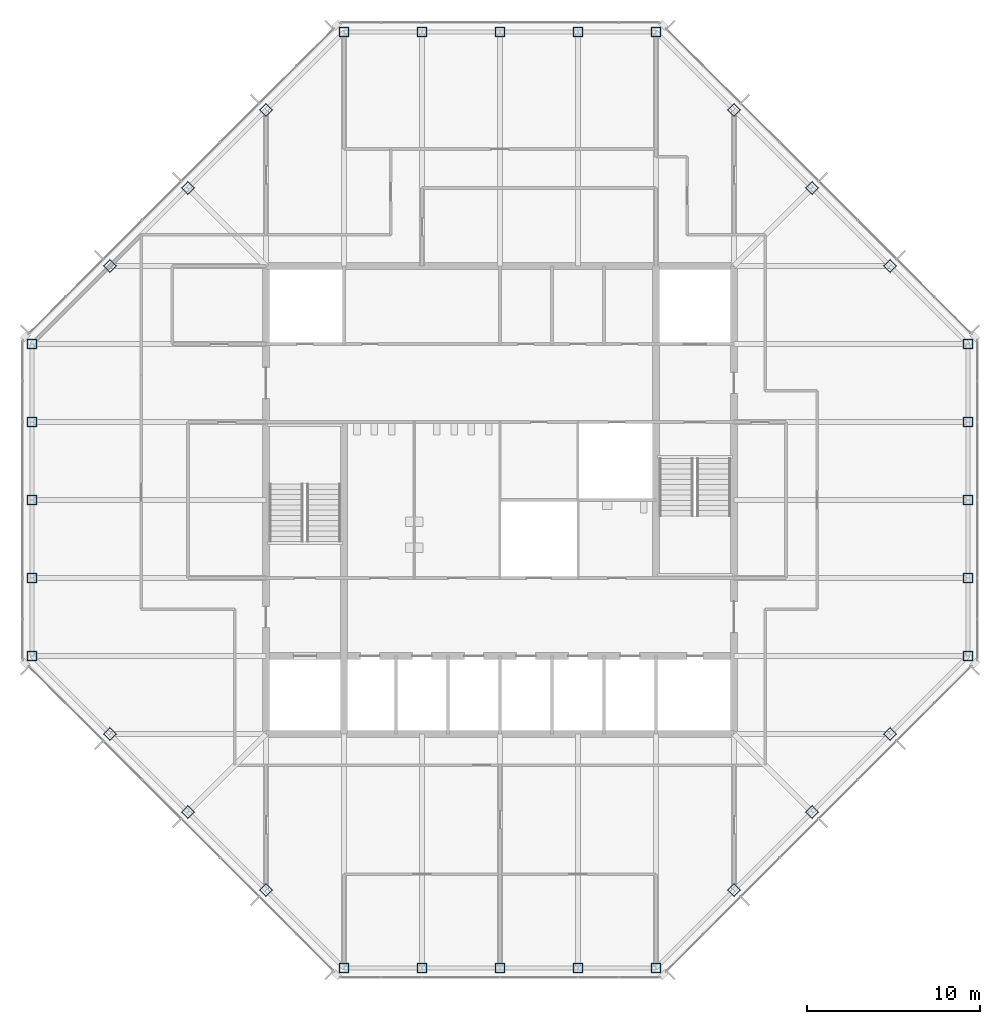
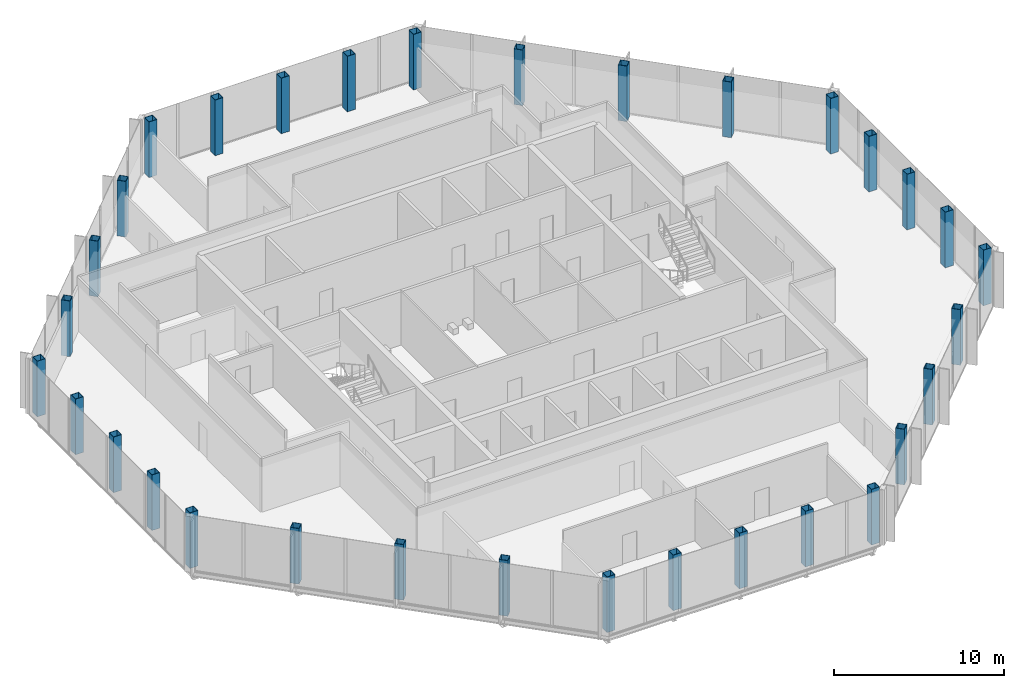
# One storey, part 1 of 13: 32 columns.
"""IFC4 building model written with IfcOpenShell, lengths in metres."""

import ifcopenshell
import ifcopenshell.guid

model = None  # the IFC model being written
_history = None  # IfcOwnerHistory: only IFC2X3 demands one
_inside = {}  # id of a spatial element -> (the spatial element, [elements in it])
_under = {}  # id of a project, library or spatial element -> (it, [spatial elements below it])
_declared = {}  # id of a project -> (the project, [libraries it declares])
_typed = {}  # id of a type object -> (the type object, [elements of that type])
_made_of = {}  # id of a material, layer set ... -> (it, [elements and type objects made of it])


def new_model(schema):
    """Start an empty IFC model of exactly this schema.

    Asked for "IFC4X3", IfcOpenShell would pick the latest addendum, in which some entities
    have other attributes; the version numbers below select the first issue.
    IFC2X3 requires an IfcOwnerHistory on every rooted entity: one is made here for all.
    """
    global model, _history
    if schema == "IFC4X3":
        model = ifcopenshell.file(schema_version=(4, 3, 0, 0))
    else:
        model = ifcopenshell.file(schema=schema)
    _inside.clear()
    _under.clear()
    _declared.clear()
    _typed.clear()
    _made_of.clear()
    _history = None
    if model.schema == "IFC2X3":
        org = make("IfcOrganization", Name="unknown")
        user = make(
            "IfcPersonAndOrganization",
            ThePerson=make("IfcPerson", FamilyName="unknown"),
            TheOrganization=org,
        )
        app = make(
            "IfcApplication",
            ApplicationDeveloper=org,
            Version="unknown",
            ApplicationFullName="unknown",
            ApplicationIdentifier="unknown",
        )
        _history = make(
            "IfcOwnerHistory",
            OwningUser=user,
            OwningApplication=app,
            ChangeAction="ADDED",
            CreationDate=0,
        )
    return model


def make(cls, **values):
    """One entity of the class cls with the attributes given. An attribute that is None is left unset."""
    return model.create_entity(
        cls, **{name: value for name, value in values.items() if value is not None}
    )


def rooted(cls, **values):
    """An entity with a GlobalId (a new one), such as an element, a storey or a relation."""
    return make(cls, GlobalId=ifcopenshell.guid.new(), OwnerHistory=_history, **values)


def si_unit(unit_type, name, prefix=None):
    """IfcSIUnit, for example si_unit("LENGTHUNIT", "METRE", prefix="MILLI")."""
    return make("IfcSIUnit", UnitType=unit_type, Prefix=prefix, Name=name)


def assignment(units):
    """IfcUnitAssignment: the units of a project."""
    return None if units is None else make("IfcUnitAssignment", Units=units)


def point(xyz):
    """IfcCartesianPoint."""
    return None if xyz is None else make("IfcCartesianPoint", Coordinates=xyz)


def direction(xyz):
    """IfcDirection."""
    return None if xyz is None else make("IfcDirection", DirectionRatios=xyz)


def frame(location, z_axis=None, x_axis=None):
    """IfcAxis2Placement3D, a coordinate frame: its origin and axes. An axis left out is left unset."""
    return make(
        "IfcAxis2Placement3D",
        Location=point(location),
        Axis=direction(z_axis),
        RefDirection=direction(x_axis),
    )


def frame_2d(location, x_axis=None):
    """IfcAxis2Placement2D, a coordinate frame in the plane: its origin and x axis."""
    return make(
        "IfcAxis2Placement2D", Location=point(location), RefDirection=direction(x_axis)
    )


def origin():
    """The frame at (0, 0, 0) with its axes left unset."""
    return frame((0.0, 0.0, 0.0))


def origin_2d():
    """The frame at (0, 0) in the plane with its x axis left unset."""
    return frame_2d((0.0, 0.0))


def place(relative_to, where):
    """IfcLocalPlacement: puts the frame where relative to a parent placement (None: the world)."""
    return make(
        "IfcLocalPlacement", PlacementRelTo=relative_to, RelativePlacement=where
    )


def context(
    kind, dimensions, precision=None, world=None, true_north=None, identifier=None
):
    """IfcGeometricRepresentationContext, for example the 3D "Model" context."""
    return make(
        "IfcGeometricRepresentationContext",
        ContextIdentifier=identifier,
        ContextType=kind,
        CoordinateSpaceDimension=dimensions,
        Precision=precision,
        WorldCoordinateSystem=world,
        TrueNorth=true_north,
    )


def subcontext(parent, identifier, kind, view, scale=None):
    """IfcGeometricRepresentationSubContext, for example "Body" below "Model"."""
    return make(
        "IfcGeometricRepresentationSubContext",
        ContextIdentifier=identifier,
        ContextType=kind,
        ParentContext=parent,
        TargetScale=scale,
        TargetView=view,
    )


def project(units=None, contexts=None):
    """IfcProject with its units and contexts."""
    return rooted(
        "IfcProject",
        Name="project",
        RepresentationContexts=contexts,
        UnitsInContext=assignment(units),
    )


def spatial(cls, under=None, at=None, **own):
    """A site, building, storey or space (cls), placed at a placement, below another one or the project."""
    s = rooted(cls, ObjectPlacement=at, **own)
    if under is not None:
        _under.setdefault(under.id(), (under, []))[1].append(s)
    return s


def profile(cls, at=None, kind="AREA", **sizes):
    """A parametric profile (cls). Its sizes go by their IFC names, for example OverallWidth=200.0."""
    return make(cls, ProfileType=kind, Position=at, **sizes)


def hollow_rectangle(**sizes):
    """IfcRectangleHollowProfileDef."""
    return profile("IfcRectangleHollowProfileDef", **sizes)


def extrude(swept, where, along, depth):
    """IfcExtrudedAreaSolid: the profile swept, set in the frame where, extruded along a direction by depth."""
    return make(
        "IfcExtrudedAreaSolid",
        SweptArea=swept,
        Position=where,
        ExtrudedDirection=direction(along),
        Depth=depth,
    )


def shape(context_of_items, identifier, shape_type, items):
    """IfcShapeRepresentation: the items that make up one representation, for example the "Body"."""
    return make(
        "IfcShapeRepresentation",
        ContextOfItems=context_of_items,
        RepresentationIdentifier=identifier,
        RepresentationType=shape_type,
        Items=items,
    )


def material(Name=None, Category=None):
    """IfcMaterial."""
    return make("IfcMaterial", Name=Name, Category=Category)


def material_profile(
    of_material, cross_section, Name=None, Category=None, Priority=None
):
    """IfcMaterialProfile: a cross section and its material."""
    return make(
        "IfcMaterialProfile",
        Name=Name,
        Material=of_material,
        Profile=cross_section,
        Priority=Priority,
        Category=Category,
    )


def profile_set(profiles, Name=None, composite=None):
    """IfcMaterialProfileSet."""
    return make(
        "IfcMaterialProfileSet",
        Name=Name,
        MaterialProfiles=profiles,
        CompositeProfile=composite,
    )


def made_of(thing, what):
    """Note that an element or type object is made of a material, layer set ...; save() writes the relation."""
    if what is not None:
        _made_of.setdefault(what.id(), (what, []))[1].append(thing)
    return thing


def type_object(cls, material=None, **own):
    """A type object (cls), such as IfcWallType, which elements share."""
    return made_of(rooted(cls, **own), material)


def element(
    cls,
    number,
    at=None,
    inside=None,
    cuts=None,
    type_object=None,
    material=None,
    context=None,
    identifier="Body",
    shape_type=None,
    held_by="IfcProductDefinitionShape",
    body=None,
    shapes=None,
    **own,
):
    """One element of the class cls, such as IfcWall. Its Tag is "e" and its number.

    at: its placement. inside: the storey or other place that contains it. cuts: it is an
    opening in that element (IfcRelVoidsElement). A single representation is given by context,
    identifier, shape_type and body (its items); several are given by shapes. held_by: the class
    of the entity that holds the representations. save() writes the other relations.
    """
    e = rooted(cls, Tag="e%d" % number, ObjectPlacement=at, **own)
    if body is not None:
        shapes = [shape(context, identifier, shape_type, body)]
    if shapes is not None:
        e.Representation = make(held_by, Representations=shapes)
    if inside is not None:
        _inside.setdefault(inside.id(), (inside, []))[1].append(e)
    if cuts is not None:
        rooted(
            "IfcRelVoidsElement", RelatingBuildingElement=cuts, RelatedOpeningElement=e
        )
    if type_object is not None:
        _typed.setdefault(type_object.id(), (type_object, []))[1].append(e)
    return made_of(e, material)


def aggregate(whole, parts):
    """IfcRelAggregates: a whole, such as a stair, and the parts it consists of."""
    return rooted("IfcRelAggregates", RelatingObject=whole, RelatedObjects=parts)


def save(model, path):
    """Write the relations noted so far, then the file.

    IfcRelAggregates (storeys below a building ...), IfcRelContainedInSpatialStructure (elements
    in a storey), IfcRelDefinesByType, IfcRelAssociatesMaterial and IfcRelDeclares: one each for
    every whole, place, type object, material and project.
    """
    for whole, parts in _under.values():
        aggregate(whole, parts)
    for where, things in _inside.values():
        rooted(
            "IfcRelContainedInSpatialStructure",
            RelatedElements=things,
            RelatingStructure=where,
        )
    for kind, things in _typed.values():
        rooted("IfcRelDefinesByType", RelatedObjects=things, RelatingType=kind)
    for what, things in _made_of.values():
        rooted("IfcRelAssociatesMaterial", RelatedObjects=things, RelatingMaterial=what)
    for by, libraries in _declared.values():
        rooted("IfcRelDeclares", RelatingContext=by, RelatedDefinitions=libraries)
    model.write(path)


model = new_model("IFC4")

# Units and contexts
model_context = context("Model", 3, precision=1e-05, world=origin(), true_north=direction((0.0, 1.0)))
body_context = subcontext(model_context, "Body", "Model", "MODEL_VIEW")
ifc_project = project(units=[si_unit("LENGTHUNIT", "METRE"), si_unit("AREAUNIT", "SQUARE_METRE"), si_unit("VOLUMEUNIT", "CUBIC_METRE"), si_unit("PLANEANGLEUNIT", "RADIAN"), si_unit("MASSUNIT", "GRAM", prefix="KILO")], contexts=[model_context])

# Site, building, storey
site_placement = place(None, origin())
site = spatial("IfcSite", under=ifc_project, at=site_placement, CompositionType="ELEMENT")
building_placement = place(site_placement, origin())
building = spatial("IfcBuilding", under=site, at=building_placement, Name="Corais Broadcast Tower", CompositionType="ELEMENT")
storey_placement = place(building_placement, frame((0.0, 0.0, 302.60009765625)))
storey = spatial("IfcBuildingStorey", under=building, at=storey_placement, Name="L71", CompositionType="ELEMENT", Elevation=302.60009765625)

# Columns
ifc_material = material(Name="Steel ASTM A572 Grade 50", Category="steel")
ifc_material_profile = material_profile(ifc_material, hollow_rectangle(XDim=0.550048828125, YDim=0.550048828125, WallThickness=0.02490234375, at=origin_2d()), Name="BOX 550x550x25")
ifc_profile_set = profile_set([ifc_material_profile], Name="Steel ASTM A572 Grade 50")
column_type = type_object("IfcColumnType", Name="Column BOX 550x550x25", PredefinedType="COLUMN", material=ifc_profile_set)
for number, where, z_axis, x_axis, name in (
    (1, (18.0, 0.0, 0.0), (0.0, 0.0, 1.0), (1.0, 0.0, 0.0), "C8 A/7"),
    (2, (22.5, 0.0, 0.0), (0.0, 0.0, 1.0), (1.0, 0.0, 0.0), "C8 A/8"),
    (3, (27.0, 0.0, 0.0), (0.0, 0.0, 1.0), (1.0, 0.0, 0.0), "C8 A/9"),
    (4, (31.5, 0.0, 0.0), (0.0, 0.0, 1.0), (1.0, 0.0, 0.0), "C8 A/10"),
    (5, (36.0, 0.0, 0.0), (0.0, 0.0, 1.0), (1.0, 0.0, 0.0), "C8 A/11"),
    (6, (54.0, 18.0, 0.0), (0.0, 0.0, 1.0), (1.0, 0.0, 0.0), "C8 E/15"),
    (7, (54.0, 22.5, 0.0), (0.0, 0.0, 1.0), (1.0, 0.0, 0.0), "C8 F/15"),
    (8, (54.0, 27.0, 0.0), (0.0, 0.0, 1.0), (1.0, 0.0, 0.0), "C8 G/15"),
    (9, (54.0, 31.5, 0.0), (0.0, 0.0, 1.0), (1.0, 0.0, 0.0), "C8 H/15"),
    (10, (54.0, 36.0, 0.0), (0.0, 0.0, 1.0), (1.0, 0.0, 0.0), "C8 J/15"),
    (11, (36.0, 54.0, 0.0), (0.0, 0.0, 1.0), (1.0, 0.0, 0.0), "C8 N/11"),
    (12, (31.5, 54.0, 0.0), (0.0, 0.0, 1.0), (1.0, 0.0, 0.0), "C8 N/10"),
    (13, (27.0, 54.0, 0.0), (0.0, 0.0, 1.0), (1.0, 0.0, 0.0), "C8 N/9"),
    (14, (22.5, 54.0, 0.0), (0.0, 0.0, 1.0), (1.0, 0.0, 0.0), "C8 N/8"),
    (15, (18.0, 54.0, 0.0), (0.0, 0.0, 1.0), (1.0, 0.0, 0.0), "C8 N/7"),
    (16, (0.0, 36.0, 0.0), (0.0, 0.0, 1.0), (1.0, 0.0, 0.0), "C8 J/3"),
    (17, (0.0, 31.5, 0.0), (0.0, 0.0, 1.0), (1.0, 0.0, 0.0), "C8 H/3"),
    (18, (0.0, 27.0, 0.0), (0.0, 0.0, 1.0), (1.0, 0.0, 0.0), "C8 G/3"),
    (19, (0.0, 22.5, 0.0), (0.0, 0.0, 1.0), (1.0, 0.0, 0.0), "C8 F/3"),
    (20, (0.0, 18.0, 0.0), (0.0, 0.0, 1.0), (1.0, 0.0, 0.0), "C8 E/3"),
    (21, (13.5, 4.5, 0.0), (0.0, 0.0, 1.0), (0.707106781187, 0.707106781187, 0.0), "C8 B/6"),
    (22, (9.0, 9.0, 0.0), (0.0, 0.0, 1.0), (0.707106781187, 0.707106781187, 0.0), "C8 C/5"),
    (23, (4.5, 13.5, 0.0), (0.0, 0.0, 1.0), (0.707106781187, 0.707106781187, 0.0), "C8 D/4"),
    (24, (40.5, 4.5, 0.0), (0.0, 0.0, 1.0), (0.707106781187, 0.707106781187, 0.0), "C8 B/12"),
    (25, (45.0, 9.0, 0.0), (0.0, 0.0, 1.0), (0.707106781187, 0.707106781187, 0.0), "C8 C/13"),
    (26, (49.5, 13.5, 0.0), (0.0, 0.0, 1.0), (0.707106781187, 0.707106781187, 0.0), "C8 D/14"),
    (27, (49.5, 40.5, 0.0), (0.0, 0.0, 1.0), (0.707106781187, 0.707106781187, 0.0), "C8 K/14"),
    (28, (45.0, 45.0, 0.0), (0.0, 0.0, 1.0), (0.707106781187, 0.707106781187, 0.0), "C8 L/13"),
    (29, (40.5, 49.5, 0.0), (0.0, 0.0, 1.0), (0.707106781187, 0.707106781187, 0.0), "C8 M/12"),
    (30, (4.5, 40.5, 0.0), (0.0, 0.0, 1.0), (0.707106781187, 0.707106781187, 0.0), "C8 K/4"),
    (31, (9.0, 45.0, 0.0), (0.0, 0.0, 1.0), (0.707106781187, 0.707106781187, 0.0), "C8 L/5"),
    (32, (13.5, 49.5, 0.0), (0.0, 0.0, 1.0), (0.707106781187, 0.707106781187, 0.0), "C8 M/6"),
):
    element("IfcColumn", number, at=place(storey_placement, frame(where, z_axis=z_axis, x_axis=x_axis)), inside=storey, type_object=column_type, Name=name, PredefinedType="COLUMN", context=body_context, shape_type="SweptSolid", body=[
        extrude(hollow_rectangle(XDim=0.550048828125, YDim=0.550048828125, WallThickness=0.02490234375, at=origin_2d()), origin(), (0.0, 0.0, 1.0), 4.0),
    ])

save(model, "model.ifc")
